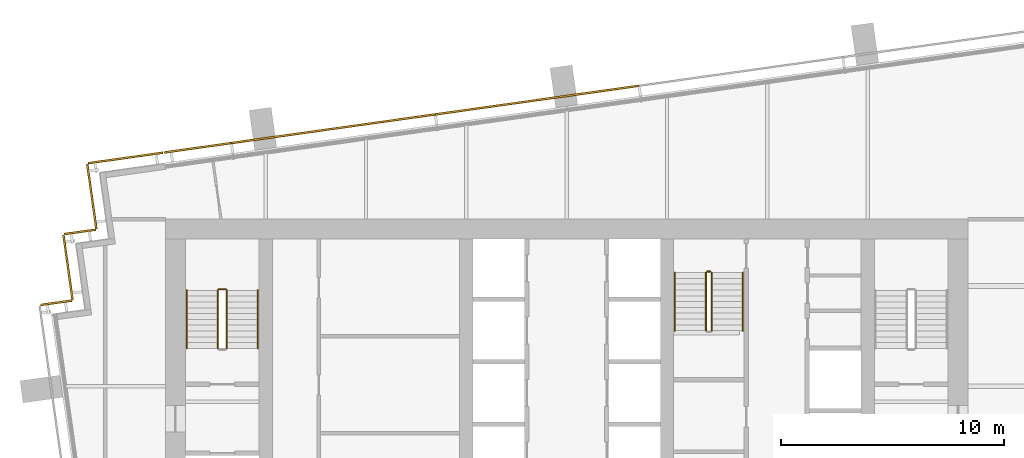
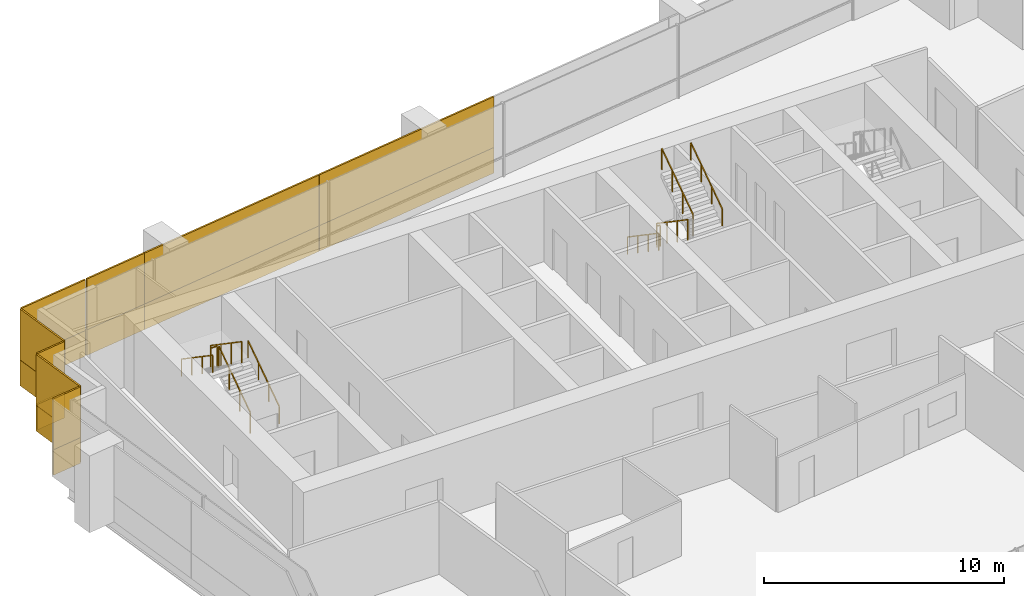
# One storey, part 16 of 17: 16 coverings, 10 railings.
"""IFC4 building model written with IfcOpenShell, lengths in metres."""

from ifc_helpers import new_model, si_unit, direction, frame, origin, origin_2d, place, context, subcontext, project, spatial, rectangle, extrude, material, layer, layer_set, type_object, element, save


model = new_model("IFC4")

# Units and contexts
model_context = context("Model", 3, precision=1e-05, world=origin(), true_north=direction((0.0, 1.0)))
body_context = subcontext(model_context, "Body", "Model", "MODEL_VIEW")
ifc_project = project(units=[si_unit("LENGTHUNIT", "METRE"), si_unit("AREAUNIT", "SQUARE_METRE"), si_unit("VOLUMEUNIT", "CUBIC_METRE"), si_unit("PLANEANGLEUNIT", "RADIAN"), si_unit("MASSUNIT", "GRAM", prefix="KILO")], contexts=[model_context])

# Site, building, storey
site_placement = place(None, origin())
site = spatial("IfcSite", under=ifc_project, at=site_placement, CompositionType="ELEMENT")
building_placement = place(site_placement, origin())
building = spatial("IfcBuilding", under=site, at=building_placement, Name="Rattan Terrace Tower", CompositionType="ELEMENT")
storey_placement = place(building_placement, frame((0.0, 0.0, 221.300048828125)))
storey = spatial("IfcBuildingStorey", under=building, at=storey_placement, Name="L50", CompositionType="ELEMENT", Elevation=221.300048828125)

# Railings
ifc_material_1 = material(Name="Powder-coated steel guard", Category="steel")
railing_type_1 = type_object("IfcRailingType", Name="Core stair guard", PredefinedType="GUARDRAIL", material=ifc_material_1)
railing_1_placement = place(storey_placement, frame((-15.25, 1.699951171875, 0.17724609375)))
element("IfcRailing", 1, at=railing_1_placement, inside=storey, type_object=railing_type_1, Name="L50 S1 stair guard 1", PredefinedType="GUARDRAIL", context=body_context, shape_type="SweptSolid", body=[
    extrude(rectangle(XDim=0.048095703125, YDim=0.048095703125, at=origin_2d()), frame((0.0, 0.0, 1.076171875), z_axis=(0.0, 0.826240473404, 0.563317565952), x_axis=(-1.0, 0.0, 0.0)), (0.0, 0.0, 1.0), 3.14697265625),
    extrude(rectangle(XDim=0.0419921875, YDim=0.0419921875, at=origin_2d()), origin(), (0.0, 0.0, 1.0), 1.052001953125),
    extrude(rectangle(XDim=0.0419921875, YDim=0.0419921875, at=origin_2d()), frame((0.0, 0.86669921875, 0.5908203125)), (0.0, 0.0, 1.0), 1.052001953125),
    extrude(rectangle(XDim=0.0419921875, YDim=0.0419921875, at=origin_2d()), frame((0.0, 1.7333984375, 1.181884765625)), (0.0, 0.0, 1.0), 1.052001953125),
    extrude(rectangle(XDim=0.0419921875, YDim=0.0419921875, at=origin_2d()), frame((0.0, 2.60009765625, 1.772705078125)), (0.0, 0.0, 1.0), 1.052001953125),
])
railing_2_placement = place(storey_placement, frame((-15.300048828125, 4.35009765625, 1.949951171875)))
element("IfcRailing", 2, at=railing_2_placement, inside=storey, type_object=railing_type_1, Name="L50 S1 stair guard 2", PredefinedType="GUARDRAIL", context=body_context, shape_type="SweptSolid", body=[
    extrude(rectangle(XDim=0.048095703125, YDim=0.048095703125, at=origin_2d()), frame((0.0, 0.0, 1.076171875), z_axis=(-1.0, 0.0, 0.0), x_axis=(0.0, -1.0, 0.0)), (0.0, 0.0, 1.0), 0.300048828125),
    extrude(rectangle(XDim=0.0419921875, YDim=0.0419921875, at=origin_2d()), origin(), (0.0, 0.0, 1.0), 1.052001953125),
    extrude(rectangle(XDim=0.0419921875, YDim=0.0419921875, at=origin_2d()), frame((-0.300048828125, 0.0, 0.0)), (0.0, 0.0, 1.0), 1.052001953125),
])
for number, where, name in (
    (3, (-15.64990234375, 4.300048828125, 2.127197265625), "L50 S1 stair guard 3"),
    (4, (6.25, 5.10009765625, 0.17724609375), "L50 S3 stair guard 1"),
):
    element("IfcRailing", number, at=place(storey_placement, frame(where)), inside=storey, type_object=railing_type_1, Name=name, PredefinedType="GUARDRAIL", context=body_context, shape_type="SweptSolid", body=[
        extrude(rectangle(XDim=0.048095703125, YDim=0.048095703125, at=origin_2d()), frame((0.0, 0.0, 1.076171875), z_axis=(0.0, -0.826240473404, 0.563317565952), x_axis=(1.0, 0.0, 0.0)), (0.0, 0.0, 1.0), 3.14697265625),
        extrude(rectangle(XDim=0.0419921875, YDim=0.0419921875, at=origin_2d()), origin(), (0.0, 0.0, 1.0), 1.052001953125),
        extrude(rectangle(XDim=0.0419921875, YDim=0.0419921875, at=origin_2d()), frame((0.0, -0.86669921875, 0.5908203125)), (0.0, 0.0, 1.0), 1.052001953125),
        extrude(rectangle(XDim=0.0419921875, YDim=0.0419921875, at=origin_2d()), frame((0.0, -1.7333984375, 1.181884765625)), (0.0, 0.0, 1.0), 1.052001953125),
        extrude(rectangle(XDim=0.0419921875, YDim=0.0419921875, at=origin_2d()), frame((0.0, -2.60009765625, 1.772705078125)), (0.0, 0.0, 1.0), 1.052001953125),
    ])
railing_3_placement = place(storey_placement, frame((6.5, 2.5, 2.127197265625)))
element("IfcRailing", 5, at=railing_3_placement, inside=storey, type_object=railing_type_1, Name="L50 S3 stair guard 3", PredefinedType="GUARDRAIL", context=body_context, shape_type="SweptSolid", body=[
    extrude(rectangle(XDim=0.048095703125, YDim=0.048095703125, at=origin_2d()), frame((0.0, 0.0, 1.076171875), z_axis=(0.0, 0.826240473404, 0.563317565952), x_axis=(-1.0, 0.0, 0.0)), (0.0, 0.0, 1.0), 3.14697265625),
    extrude(rectangle(XDim=0.0419921875, YDim=0.0419921875, at=origin_2d()), origin(), (0.0, 0.0, 1.0), 1.052001953125),
    extrude(rectangle(XDim=0.0419921875, YDim=0.0419921875, at=origin_2d()), frame((0.0, 0.86669921875, 0.5908203125)), (0.0, 0.0, 1.0), 1.052001953125),
    extrude(rectangle(XDim=0.0419921875, YDim=0.0419921875, at=origin_2d()), frame((0.0, 1.7333984375, 1.181884765625)), (0.0, 0.0, 1.0), 1.052001953125),
    extrude(rectangle(XDim=0.0419921875, YDim=0.0419921875, at=origin_2d()), frame((0.0, 2.60009765625, 1.772705078125)), (0.0, 0.0, 1.0), 1.052001953125),
])
railing_4_placement = place(storey_placement, frame((6.300048828125, 5.14990234375, 0.0)))
element("IfcRailing", 6, at=railing_4_placement, inside=storey, type_object=railing_type_1, Name="L50 S3 stair guard 4", PredefinedType="GUARDRAIL", context=body_context, shape_type="SweptSolid", body=[
    extrude(rectangle(XDim=0.048095703125, YDim=0.048095703125, at=origin_2d()), frame((0.0, 0.0, 1.076171875), z_axis=(1.0, 0.0, 0.0), x_axis=(0.0, 1.0, 0.0)), (0.0, 0.0, 1.0), 0.14990234375),
    extrude(rectangle(XDim=0.0419921875, YDim=0.0419921875, at=origin_2d()), origin(), (0.0, 0.0, 1.0), 1.052001953125),
    extrude(rectangle(XDim=0.0419921875, YDim=0.0419921875, at=origin_2d()), frame((0.14990234375, 0.0, 0.0)), (0.0, 0.0, 1.0), 1.052001953125),
])
ifc_material_2 = material(Name="Powder-coated steel handrail", Category="steel")
railing_type_2 = type_object("IfcRailingType", Name="Core stair handrail", PredefinedType="HANDRAIL", material=ifc_material_2)
railing_5_placement = place(storey_placement, frame((-13.85009765625, 1.699951171875, 0.17724609375)))
element("IfcRailing", 7, at=railing_5_placement, inside=storey, type_object=railing_type_2, Name="L50 S1 stair handrail 1", PredefinedType="HANDRAIL", context=body_context, shape_type="SweptSolid", body=[
    extrude(rectangle(XDim=0.048095703125, YDim=0.048095703125, at=origin_2d()), frame((0.0, 0.0, 0.8759765625), z_axis=(0.0, 0.826240473404, 0.563317565952), x_axis=(-1.0, 0.0, 0.0)), (0.0, 0.0, 1.0), 3.14697265625),
    extrude(rectangle(XDim=0.0419921875, YDim=0.0419921875, at=origin_2d()), origin(), (0.0, 0.0, 1.0), 0.851806640625),
    extrude(rectangle(XDim=0.0419921875, YDim=0.0419921875, at=origin_2d()), frame((0.0, 0.86669921875, 0.5908203125)), (0.0, 0.0, 1.0), 0.851806640625),
    extrude(rectangle(XDim=0.0419921875, YDim=0.0419921875, at=origin_2d()), frame((0.0, 1.7333984375, 1.181884765625)), (0.0, 0.0, 1.0), 0.851806640625),
    extrude(rectangle(XDim=0.0419921875, YDim=0.0419921875, at=origin_2d()), frame((0.0, 2.60009765625, 1.772705078125)), (0.0, 0.0, 1.0), 0.851806640625),
])
for number, where, name in (
    (8, (-17.050048828125, 4.300048828125, 2.127197265625), "L50 S1 stair handrail 2"),
    (9, (4.85009765625, 5.10009765625, 0.17724609375), "L50 S3 stair handrail 1"),
):
    element("IfcRailing", number, at=place(storey_placement, frame(where)), inside=storey, type_object=railing_type_2, Name=name, PredefinedType="HANDRAIL", context=body_context, shape_type="SweptSolid", body=[
        extrude(rectangle(XDim=0.048095703125, YDim=0.048095703125, at=origin_2d()), frame((0.0, 0.0, 0.8759765625), z_axis=(0.0, -0.826240473404, 0.563317565952), x_axis=(1.0, 0.0, 0.0)), (0.0, 0.0, 1.0), 3.14697265625),
        extrude(rectangle(XDim=0.0419921875, YDim=0.0419921875, at=origin_2d()), origin(), (0.0, 0.0, 1.0), 0.851806640625),
        extrude(rectangle(XDim=0.0419921875, YDim=0.0419921875, at=origin_2d()), frame((0.0, -0.86669921875, 0.5908203125)), (0.0, 0.0, 1.0), 0.851806640625),
        extrude(rectangle(XDim=0.0419921875, YDim=0.0419921875, at=origin_2d()), frame((0.0, -1.7333984375, 1.181884765625)), (0.0, 0.0, 1.0), 0.851806640625),
        extrude(rectangle(XDim=0.0419921875, YDim=0.0419921875, at=origin_2d()), frame((0.0, -2.60009765625, 1.772705078125)), (0.0, 0.0, 1.0), 0.851806640625),
    ])
railing_6_placement = place(storey_placement, frame((7.89990234375, 2.5, 2.127197265625)))
element("IfcRailing", 10, at=railing_6_placement, inside=storey, type_object=railing_type_2, Name="L50 S3 stair handrail 2", PredefinedType="HANDRAIL", context=body_context, shape_type="SweptSolid", body=[
    extrude(rectangle(XDim=0.048095703125, YDim=0.048095703125, at=origin_2d()), frame((0.0, 0.0, 0.8759765625), z_axis=(0.0, 0.826240473404, 0.563317565952), x_axis=(-1.0, 0.0, 0.0)), (0.0, 0.0, 1.0), 3.14697265625),
    extrude(rectangle(XDim=0.0419921875, YDim=0.0419921875, at=origin_2d()), origin(), (0.0, 0.0, 1.0), 0.851806640625),
    extrude(rectangle(XDim=0.0419921875, YDim=0.0419921875, at=origin_2d()), frame((0.0, 0.86669921875, 0.5908203125)), (0.0, 0.0, 1.0), 0.851806640625),
    extrude(rectangle(XDim=0.0419921875, YDim=0.0419921875, at=origin_2d()), frame((0.0, 1.7333984375, 1.181884765625)), (0.0, 0.0, 1.0), 0.851806640625),
    extrude(rectangle(XDim=0.0419921875, YDim=0.0419921875, at=origin_2d()), frame((0.0, 2.60009765625, 1.772705078125)), (0.0, 0.0, 1.0), 0.851806640625),
])

# Coverings
ifc_material_3 = material(Name="Solid terracotta", Category="masonry")
ifc_layer_1 = layer(ifc_material_3, 0.090087890625)
ifc_layer_set_1 = layer_set([ifc_layer_1], Name="Facade Terracotta Band Panel HZ")
covering_type_1 = type_object("IfcCoveringType", Name="Facade Terracotta Band Panel HZ", PredefinedType="CLADDING", material=ifc_layer_set_1)
for number, where, z_axis, x_axis, name in (
    (11, (-1.32666015625, 12.842529296875, -0.18994140625), (0.0, 0.0, 1.0), (-0.990267457022, -0.139177453499, 0.0), "OUTER SKIN panel L50-16A"),
    (12, (-10.4677734375, 11.557861328125, -0.18994140625), (0.0, 0.0, 1.0), (-0.990267457022, -0.139177453499, 0.0), "OUTER SKIN panel L50-17A"),
):
    element("IfcCovering", number, at=place(storey_placement, frame(where, z_axis=z_axis, x_axis=x_axis)), inside=storey, type_object=covering_type_1, Name=name, PredefinedType="CLADDING", context=body_context, shape_type="SweptSolid", body=[
        extrude(rectangle(XDim=9.2109375, YDim=0.090087890625, at=origin_2d()), origin(), (0.0, 0.0, 1.0), 1.300048828125),
    ])
covering_1_placement = place(storey_placement, frame((-16.546142578125, 10.70361328125, -0.18994140625), z_axis=(0.0, 0.0, 1.0), x_axis=(-0.990267457022, -0.139177453499, 0.0)))
element("IfcCovering", 13, at=covering_1_placement, inside=storey, type_object=covering_type_1, Name="OUTER SKIN panel L50-18A", PredefinedType="CLADDING", context=body_context, shape_type="SweptSolid", body=[
    extrude(rectangle(XDim=3.025390625, YDim=0.090087890625, at=origin_2d()), origin(), (0.0, 0.0, 1.0), 1.300048828125),
])
covering_2_placement = place(storey_placement, frame((-19.7919921875, 10.2470703125, -0.18994140625), z_axis=(0.0, 0.0, 1.0), x_axis=(-0.990247240581, -0.139321220646, 0.0)))
element("IfcCovering", 14, at=covering_2_placement, inside=storey, type_object=covering_type_1, Name="OUTER SKIN panel L50-19A", PredefinedType="CLADDING", context=body_context, shape_type="SweptSolid", body=[
    extrude(rectangle(XDim=3.3701171875, YDim=0.090087890625, at=origin_2d()), origin(), (0.0, 0.0, 1.0), 1.300048828125),
])
covering_3_placement = place(storey_placement, frame((-21.304443359375, 8.50439453125, -0.18994140625), z_axis=(0.0, 0.0, 1.0), x_axis=(0.138994363123, -0.990293172258, 0.0)))
element("IfcCovering", 15, at=covering_3_placement, inside=storey, type_object=covering_type_1, Name="OUTER SKIN panel L50-20A", PredefinedType="CLADDING", context=body_context, shape_type="SweptSolid", body=[
    extrude(rectangle(XDim=2.919921875, YDim=0.090087890625, at=origin_2d()), origin(), (0.0, 0.0, 1.0), 1.300048828125),
])
covering_4_placement = place(storey_placement, frame((-21.825927734375, 6.93212890625, -0.18994140625), z_axis=(0.0, 0.0, 1.0), x_axis=(-0.990332587523, -0.138713251317, 0.0)))
element("IfcCovering", 16, at=covering_4_placement, inside=storey, type_object=covering_type_1, Name="OUTER SKIN panel L50-21A", PredefinedType="CLADDING", context=body_context, shape_type="SweptSolid", body=[
    extrude(rectangle(XDim=1.419677734375, YDim=0.090087890625, at=origin_2d()), origin(), (0.0, 0.0, 1.0), 1.300048828125),
])
covering_5_placement = place(storey_placement, frame((-22.3720703125, 5.325439453125, -0.18994140625), z_axis=(0.0, 0.0, 1.0), x_axis=(0.139321220646, -0.990247240581, 0.0)))
element("IfcCovering", 17, at=covering_5_placement, inside=storey, type_object=covering_type_1, Name="OUTER SKIN panel L50-22A", PredefinedType="CLADDING", context=body_context, shape_type="SweptSolid", body=[
    extrude(rectangle(XDim=2.92041015625, YDim=0.090087890625, at=origin_2d()), origin(), (0.0, 0.0, 1.0), 1.300048828125),
])
covering_6_placement = place(storey_placement, frame((-22.893310546875, 3.752197265625, -0.18994140625), z_axis=(0.0, 0.0, 1.0), x_axis=(-0.99025370695, -0.139275252184, 0.0)))
element("IfcCovering", 18, at=covering_6_placement, inside=storey, type_object=covering_type_1, Name="OUTER SKIN panel L50-23A", PredefinedType="CLADDING", context=body_context, shape_type="SweptSolid", body=[
    extrude(rectangle(XDim=1.420654296875, YDim=0.090087890625, at=origin_2d()), origin(), (0.0, 0.0, 1.0), 1.300048828125),
])
ifc_material_4 = material(Name="Perforated terracotta", Category="masonry")
ifc_layer_2 = layer(ifc_material_4, 0.080078125)
ifc_layer_set_2 = layer_set([ifc_layer_2], Name="Facade Terracotta Screen Panel HZ")
covering_type_2 = type_object("IfcCoveringType", Name="Facade Terracotta Screen Panel HZ", PredefinedType="CLADDING", material=ifc_layer_set_2)
for number, where, z_axis, x_axis, name in (
    (19, (-1.325927734375, 12.837646484375, 1.10986328125), (0.0, 0.0, 1.0), (-0.990267457022, -0.139177453499, 0.0), "OUTER SKIN panel L50-16B"),
    (20, (-10.467041015625, 11.552978515625, 1.10986328125), (0.0, 0.0, 1.0), (-0.990267457022, -0.139177453499, 0.0), "OUTER SKIN panel L50-17B"),
):
    element("IfcCovering", number, at=place(storey_placement, frame(where, z_axis=z_axis, x_axis=x_axis)), inside=storey, type_object=covering_type_2, Name=name, PredefinedType="CLADDING", context=body_context, shape_type="SweptSolid", body=[
        extrude(rectangle(XDim=9.2109375, YDim=0.080078125, at=origin_2d()), origin(), (0.0, 0.0, 1.0), 2.580078125),
    ])
covering_7_placement = place(storey_placement, frame((-16.54541015625, 10.69873046875, 1.10986328125), z_axis=(0.0, 0.0, 1.0), x_axis=(-0.990267457022, -0.139177453499, 0.0)))
element("IfcCovering", 21, at=covering_7_placement, inside=storey, type_object=covering_type_2, Name="OUTER SKIN panel L50-18B", PredefinedType="CLADDING", context=body_context, shape_type="SweptSolid", body=[
    extrude(rectangle(XDim=3.025390625, YDim=0.080078125, at=origin_2d()), origin(), (0.0, 0.0, 1.0), 2.580078125),
])
covering_8_placement = place(storey_placement, frame((-19.791259765625, 10.2421875, 1.10986328125), z_axis=(0.0, 0.0, 1.0), x_axis=(-0.990247240581, -0.139321220646, 0.0)))
element("IfcCovering", 22, at=covering_8_placement, inside=storey, type_object=covering_type_2, Name="OUTER SKIN panel L50-19B", PredefinedType="CLADDING", context=body_context, shape_type="SweptSolid", body=[
    extrude(rectangle(XDim=3.3701171875, YDim=0.080078125, at=origin_2d()), origin(), (0.0, 0.0, 1.0), 2.580078125),
])
covering_9_placement = place(storey_placement, frame((-21.299560546875, 8.505126953125, 1.10986328125), z_axis=(0.0, 0.0, 1.0), x_axis=(0.138994363123, -0.990293172258, 0.0)))
element("IfcCovering", 23, at=covering_9_placement, inside=storey, type_object=covering_type_2, Name="OUTER SKIN panel L50-20B", PredefinedType="CLADDING", context=body_context, shape_type="SweptSolid", body=[
    extrude(rectangle(XDim=2.919921875, YDim=0.080078125, at=origin_2d()), origin(), (0.0, 0.0, 1.0), 2.580078125),
])
covering_10_placement = place(storey_placement, frame((-21.8251953125, 6.927001953125, 1.10986328125), z_axis=(0.0, 0.0, 1.0), x_axis=(-0.990332587523, -0.138713251317, 0.0)))
element("IfcCovering", 24, at=covering_10_placement, inside=storey, type_object=covering_type_2, Name="OUTER SKIN panel L50-21B", PredefinedType="CLADDING", context=body_context, shape_type="SweptSolid", body=[
    extrude(rectangle(XDim=1.419677734375, YDim=0.080078125, at=origin_2d()), origin(), (0.0, 0.0, 1.0), 2.580078125),
])
covering_11_placement = place(storey_placement, frame((-22.3671875, 5.326171875, 1.10986328125), z_axis=(0.0, 0.0, 1.0), x_axis=(0.139321220646, -0.990247240581, 0.0)))
element("IfcCovering", 25, at=covering_11_placement, inside=storey, type_object=covering_type_2, Name="OUTER SKIN panel L50-22B", PredefinedType="CLADDING", context=body_context, shape_type="SweptSolid", body=[
    extrude(rectangle(XDim=2.92041015625, YDim=0.080078125, at=origin_2d()), origin(), (0.0, 0.0, 1.0), 2.580078125),
])
covering_12_placement = place(storey_placement, frame((-22.892578125, 3.747314453125, 1.10986328125), z_axis=(0.0, 0.0, 1.0), x_axis=(-0.99025370695, -0.139275252184, 0.0)))
element("IfcCovering", 26, at=covering_12_placement, inside=storey, type_object=covering_type_2, Name="OUTER SKIN panel L50-23B", PredefinedType="CLADDING", context=body_context, shape_type="SweptSolid", body=[
    extrude(rectangle(XDim=1.420654296875, YDim=0.080078125, at=origin_2d()), origin(), (0.0, 0.0, 1.0), 2.580078125),
])

save(model, "model.ifc")
